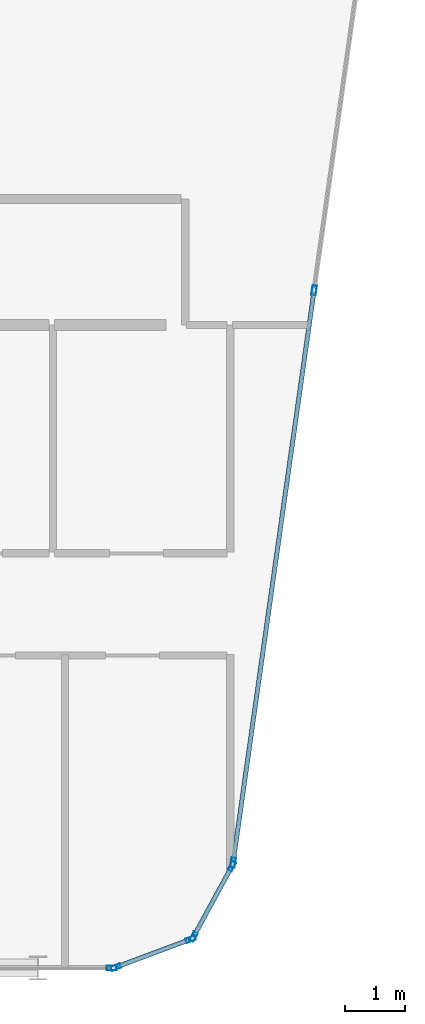
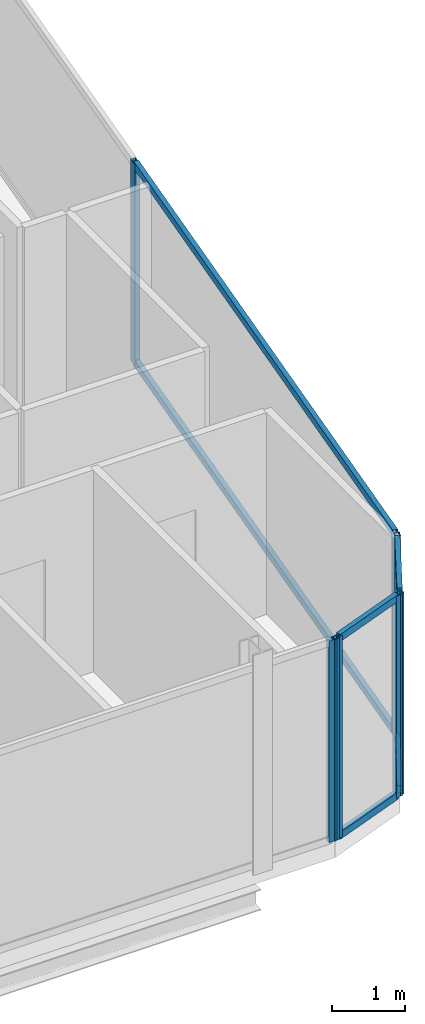
# One storey, part 12 of 27: 13 members, 4 elements without a shape of their own.
"""IFC4 building model written with IfcOpenShell, lengths in metres."""

import ifcopenshell
import ifcopenshell.guid

model = None  # the IFC model being written
_history = None  # IfcOwnerHistory: only IFC2X3 demands one
_inside = {}  # id of a spatial element -> (the spatial element, [elements in it])
_under = {}  # id of a project, library or spatial element -> (it, [spatial elements below it])
_declared = {}  # id of a project -> (the project, [libraries it declares])
_typed = {}  # id of a type object -> (the type object, [elements of that type])
_made_of = {}  # id of a material, layer set ... -> (it, [elements and type objects made of it])


def new_model(schema):
    """Start an empty IFC model of exactly this schema.

    Asked for "IFC4X3", IfcOpenShell would pick the latest addendum, in which some entities
    have other attributes; the version numbers below select the first issue.
    IFC2X3 requires an IfcOwnerHistory on every rooted entity: one is made here for all.
    """
    global model, _history
    if schema == "IFC4X3":
        model = ifcopenshell.file(schema_version=(4, 3, 0, 0))
    else:
        model = ifcopenshell.file(schema=schema)
    _inside.clear()
    _under.clear()
    _declared.clear()
    _typed.clear()
    _made_of.clear()
    _history = None
    if model.schema == "IFC2X3":
        org = make("IfcOrganization", Name="unknown")
        user = make(
            "IfcPersonAndOrganization",
            ThePerson=make("IfcPerson", FamilyName="unknown"),
            TheOrganization=org,
        )
        app = make(
            "IfcApplication",
            ApplicationDeveloper=org,
            Version="unknown",
            ApplicationFullName="unknown",
            ApplicationIdentifier="unknown",
        )
        _history = make(
            "IfcOwnerHistory",
            OwningUser=user,
            OwningApplication=app,
            ChangeAction="ADDED",
            CreationDate=0,
        )
    return model


def make(cls, **values):
    """One entity of the class cls with the attributes given. An attribute that is None is left unset."""
    return model.create_entity(
        cls, **{name: value for name, value in values.items() if value is not None}
    )


def rooted(cls, **values):
    """An entity with a GlobalId (a new one), such as an element, a storey or a relation."""
    return make(cls, GlobalId=ifcopenshell.guid.new(), OwnerHistory=_history, **values)


def si_unit(unit_type, name, prefix=None):
    """IfcSIUnit, for example si_unit("LENGTHUNIT", "METRE", prefix="MILLI")."""
    return make("IfcSIUnit", UnitType=unit_type, Prefix=prefix, Name=name)


def assignment(units):
    """IfcUnitAssignment: the units of a project."""
    return None if units is None else make("IfcUnitAssignment", Units=units)


def point(xyz):
    """IfcCartesianPoint."""
    return None if xyz is None else make("IfcCartesianPoint", Coordinates=xyz)


def direction(xyz):
    """IfcDirection."""
    return None if xyz is None else make("IfcDirection", DirectionRatios=xyz)


def frame(location, z_axis=None, x_axis=None):
    """IfcAxis2Placement3D, a coordinate frame: its origin and axes. An axis left out is left unset."""
    return make(
        "IfcAxis2Placement3D",
        Location=point(location),
        Axis=direction(z_axis),
        RefDirection=direction(x_axis),
    )


def frame_2d(location, x_axis=None):
    """IfcAxis2Placement2D, a coordinate frame in the plane: its origin and x axis."""
    return make(
        "IfcAxis2Placement2D", Location=point(location), RefDirection=direction(x_axis)
    )


def origin():
    """The frame at (0, 0, 0) with its axes left unset."""
    return frame((0.0, 0.0, 0.0))


def origin_2d():
    """The frame at (0, 0) in the plane with its x axis left unset."""
    return frame_2d((0.0, 0.0))


def place(relative_to, where):
    """IfcLocalPlacement: puts the frame where relative to a parent placement (None: the world)."""
    return make(
        "IfcLocalPlacement", PlacementRelTo=relative_to, RelativePlacement=where
    )


def context(
    kind, dimensions, precision=None, world=None, true_north=None, identifier=None
):
    """IfcGeometricRepresentationContext, for example the 3D "Model" context."""
    return make(
        "IfcGeometricRepresentationContext",
        ContextIdentifier=identifier,
        ContextType=kind,
        CoordinateSpaceDimension=dimensions,
        Precision=precision,
        WorldCoordinateSystem=world,
        TrueNorth=true_north,
    )


def subcontext(parent, identifier, kind, view, scale=None):
    """IfcGeometricRepresentationSubContext, for example "Body" below "Model"."""
    return make(
        "IfcGeometricRepresentationSubContext",
        ContextIdentifier=identifier,
        ContextType=kind,
        ParentContext=parent,
        TargetScale=scale,
        TargetView=view,
    )


def project(units=None, contexts=None):
    """IfcProject with its units and contexts."""
    return rooted(
        "IfcProject",
        Name="project",
        RepresentationContexts=contexts,
        UnitsInContext=assignment(units),
    )


def spatial(cls, under=None, at=None, **own):
    """A site, building, storey or space (cls), placed at a placement, below another one or the project."""
    s = rooted(cls, ObjectPlacement=at, **own)
    if under is not None:
        _under.setdefault(under.id(), (under, []))[1].append(s)
    return s


def profile(cls, at=None, kind="AREA", **sizes):
    """A parametric profile (cls). Its sizes go by their IFC names, for example OverallWidth=200.0."""
    return make(cls, ProfileType=kind, Position=at, **sizes)


def hollow_rectangle(**sizes):
    """IfcRectangleHollowProfileDef."""
    return profile("IfcRectangleHollowProfileDef", **sizes)


def extrude(swept, where, along, depth):
    """IfcExtrudedAreaSolid: the profile swept, set in the frame where, extruded along a direction by depth."""
    return make(
        "IfcExtrudedAreaSolid",
        SweptArea=swept,
        Position=where,
        ExtrudedDirection=direction(along),
        Depth=depth,
    )


def shape(context_of_items, identifier, shape_type, items):
    """IfcShapeRepresentation: the items that make up one representation, for example the "Body"."""
    return make(
        "IfcShapeRepresentation",
        ContextOfItems=context_of_items,
        RepresentationIdentifier=identifier,
        RepresentationType=shape_type,
        Items=items,
    )


def material(Name=None, Category=None):
    """IfcMaterial."""
    return make("IfcMaterial", Name=Name, Category=Category)


def layer(
    of_material, thickness, ventilated=None, Name=None, Category=None, Priority=None
):
    """IfcMaterialLayer: one layer of a wall or slab, of a material (None: an air gap)."""
    return make(
        "IfcMaterialLayer",
        Material=of_material,
        LayerThickness=thickness,
        IsVentilated=ventilated,
        Name=Name,
        Category=Category,
        Priority=Priority,
    )


def layer_set(layers, Name=None):
    """IfcMaterialLayerSet."""
    return make("IfcMaterialLayerSet", MaterialLayers=layers, LayerSetName=Name)


def material_profile(
    of_material, cross_section, Name=None, Category=None, Priority=None
):
    """IfcMaterialProfile: a cross section and its material."""
    return make(
        "IfcMaterialProfile",
        Name=Name,
        Material=of_material,
        Profile=cross_section,
        Priority=Priority,
        Category=Category,
    )


def profile_set(profiles, Name=None, composite=None):
    """IfcMaterialProfileSet."""
    return make(
        "IfcMaterialProfileSet",
        Name=Name,
        MaterialProfiles=profiles,
        CompositeProfile=composite,
    )


def made_of(thing, what):
    """Note that an element or type object is made of a material, layer set ...; save() writes the relation."""
    if what is not None:
        _made_of.setdefault(what.id(), (what, []))[1].append(thing)
    return thing


def type_object(cls, material=None, **own):
    """A type object (cls), such as IfcWallType, which elements share."""
    return made_of(rooted(cls, **own), material)


def element(
    cls,
    number,
    at=None,
    inside=None,
    cuts=None,
    type_object=None,
    material=None,
    context=None,
    identifier="Body",
    shape_type=None,
    held_by="IfcProductDefinitionShape",
    body=None,
    shapes=None,
    **own,
):
    """One element of the class cls, such as IfcWall. Its Tag is "e" and its number.

    at: its placement. inside: the storey or other place that contains it. cuts: it is an
    opening in that element (IfcRelVoidsElement). A single representation is given by context,
    identifier, shape_type and body (its items); several are given by shapes. held_by: the class
    of the entity that holds the representations. save() writes the other relations.
    """
    e = rooted(cls, Tag="e%d" % number, ObjectPlacement=at, **own)
    if body is not None:
        shapes = [shape(context, identifier, shape_type, body)]
    if shapes is not None:
        e.Representation = make(held_by, Representations=shapes)
    if inside is not None:
        _inside.setdefault(inside.id(), (inside, []))[1].append(e)
    if cuts is not None:
        rooted(
            "IfcRelVoidsElement", RelatingBuildingElement=cuts, RelatedOpeningElement=e
        )
    if type_object is not None:
        _typed.setdefault(type_object.id(), (type_object, []))[1].append(e)
    return made_of(e, material)


def aggregate(whole, parts):
    """IfcRelAggregates: a whole, such as a stair, and the parts it consists of."""
    return rooted("IfcRelAggregates", RelatingObject=whole, RelatedObjects=parts)


def save(model, path):
    """Write the relations noted so far, then the file.

    IfcRelAggregates (storeys below a building ...), IfcRelContainedInSpatialStructure (elements
    in a storey), IfcRelDefinesByType, IfcRelAssociatesMaterial and IfcRelDeclares: one each for
    every whole, place, type object, material and project.
    """
    for whole, parts in _under.values():
        aggregate(whole, parts)
    for where, things in _inside.values():
        rooted(
            "IfcRelContainedInSpatialStructure",
            RelatedElements=things,
            RelatingStructure=where,
        )
    for kind, things in _typed.values():
        rooted("IfcRelDefinesByType", RelatedObjects=things, RelatingType=kind)
    for what, things in _made_of.values():
        rooted("IfcRelAssociatesMaterial", RelatedObjects=things, RelatingMaterial=what)
    for by, libraries in _declared.values():
        rooted("IfcRelDeclares", RelatingContext=by, RelatedDefinitions=libraries)
    model.write(path)


model = new_model("IFC4")

# Units and contexts
model_context = context("Model", 3, precision=1e-05, world=origin(), true_north=direction((0.0, 1.0)))
body_context = subcontext(model_context, "Body", "Model", "MODEL_VIEW")
ifc_project = project(units=[si_unit("LENGTHUNIT", "METRE"), si_unit("AREAUNIT", "SQUARE_METRE"), si_unit("VOLUMEUNIT", "CUBIC_METRE"), si_unit("PLANEANGLEUNIT", "RADIAN"), si_unit("MASSUNIT", "GRAM", prefix="KILO")], contexts=[model_context])

# Site, building, storey
site_placement = place(None, origin())
site = spatial("IfcSite", under=ifc_project, at=site_placement, CompositionType="ELEMENT")
building_placement = place(site_placement, origin())
building = spatial("IfcBuilding", under=site, at=building_placement, Name="Keshet Zoharim Tower", CompositionType="ELEMENT")
storey_placement = place(building_placement, frame((0.0, 0.0, 247.300048828125)))
storey = spatial("IfcBuildingStorey", under=building, at=storey_placement, Name="L61", CompositionType="ELEMENT", Elevation=247.300048828125)

# Curtain wall, members
ifc_material = material(Name="Aluminium 6063-T6", Category="aluminium")
ifc_layer = layer(ifc_material, 0.260009765625)
ifc_layer_set = layer_set([ifc_layer], Name="Aluminium 6063-T6")
curtain_wall_type = type_object("IfcCurtainWallType", Name="CW-SYS-06", PredefinedType="NOTDEFINED", material=ifc_layer_set)
curtain_wall_1_placement = place(storey_placement, origin())
curtain_wall_1 = element("IfcCurtainWall", 1, at=curtain_wall_1_placement, inside=storey, type_object=curtain_wall_type, Name="L61 Unitised Curtain Wall 11", PredefinedType="NOTDEFINED")
ifc_material_profile_1 = material_profile(ifc_material, hollow_rectangle(XDim=0.074951171875, YDim=0.159912109375, WallThickness=0.00390625, at=origin_2d()), Name="MUL-75x160")
ifc_profile_set_1 = profile_set([ifc_material_profile_1], Name="Aluminium 6063-T6")
member_type_1 = type_object("IfcMemberType", Name="CWM-M15", PredefinedType="MULLION", material=ifc_profile_set_1)
member_1_placement = place(storey_placement, frame((43.595458984375, 17.97607421875, 0.0), z_axis=(0.0, 0.0, 1.0), x_axis=(0.990132057422, -0.140137464177, 0.0)))
member_1 = element("IfcMember", 2, at=member_1_placement, type_object=member_type_1, Name="CW-06 mullion 2", PredefinedType="MULLION", context=body_context, shape_type="SweptSolid", body=[
    extrude(hollow_rectangle(XDim=0.074951171875, YDim=0.159912109375, WallThickness=0.00390625, at=origin_2d()), origin(), (0.0, 0.0, 1.0), 3.389892578125),
])
member_2_placement = place(storey_placement, frame((42.247802734375, 8.45458984375, 0.0), z_axis=(0.0, 0.0, 1.0), x_axis=(0.990132057422, -0.140137464177, 0.0)))
member_2 = element("IfcMember", 3, at=member_2_placement, type_object=member_type_1, Name="CW-06 mullion 3", PredefinedType="MULLION", context=body_context, shape_type="SweptSolid", body=[
    extrude(hollow_rectangle(XDim=0.074951171875, YDim=0.159912109375, WallThickness=0.00390625, at=origin_2d()), origin(), (0.0, 0.0, 1.0), 3.389892578125),
])

curtain_wall_2_placement = place(storey_placement, origin())
curtain_wall_2 = element("IfcCurtainWall", 4, at=curtain_wall_2_placement, inside=storey, type_object=curtain_wall_type, Name="L61 Unitised Curtain Wall 12", PredefinedType="NOTDEFINED")
member_3_placement = place(storey_placement, frame((42.226318359375, 8.38916015625, 0.0), z_axis=(0.0, 0.0, 1.0), x_axis=(0.878468125004, -0.477800955789, 0.0)))
member_3 = element("IfcMember", 5, at=member_3_placement, type_object=member_type_1, Name="CW-06 mullion 1", PredefinedType="MULLION", context=body_context, shape_type="SweptSolid", body=[
    extrude(hollow_rectangle(XDim=0.074951171875, YDim=0.159912109375, WallThickness=0.00390625, at=origin_2d()), origin(), (0.0, 0.0, 1.0), 3.389892578125),
])
member_4_placement = place(storey_placement, frame((41.5908203125, 7.220703125, 0.0), z_axis=(0.0, 0.0, 1.0), x_axis=(0.878468125004, -0.477800955789, 0.0)))
member_4 = element("IfcMember", 6, at=member_4_placement, type_object=member_type_1, Name="CW-06 mullion 2", PredefinedType="MULLION", context=body_context, shape_type="SweptSolid", body=[
    extrude(hollow_rectangle(XDim=0.074951171875, YDim=0.159912109375, WallThickness=0.00390625, at=origin_2d()), origin(), (0.0, 0.0, 1.0), 3.389892578125),
])

curtain_wall_3_placement = place(storey_placement, origin())
curtain_wall_3 = element("IfcCurtainWall", 7, at=curtain_wall_3_placement, inside=storey, type_object=curtain_wall_type, Name="L61 Unitised Curtain Wall 13", PredefinedType="NOTDEFINED")
member_5_placement = place(storey_placement, frame((41.541259765625, 7.177734375, 0.0), z_axis=(0.0, 0.0, 1.0), x_axis=(0.350105315376, -0.936710343781, 0.0)))
member_5 = element("IfcMember", 8, at=member_5_placement, type_object=member_type_1, Name="CW-06 mullion 1", PredefinedType="MULLION", context=body_context, shape_type="SweptSolid", body=[
    extrude(hollow_rectangle(XDim=0.074951171875, YDim=0.159912109375, WallThickness=0.00390625, at=origin_2d()), origin(), (0.0, 0.0, 1.0), 3.389892578125),
])
member_6_placement = place(storey_placement, frame((40.2958984375, 6.712158203125, 0.0), z_axis=(0.0, 0.0, 1.0), x_axis=(0.350105315376, -0.936710343781, 0.0)))
member_6 = element("IfcMember", 9, at=member_6_placement, type_object=member_type_1, Name="CW-06 mullion 2", PredefinedType="MULLION", context=body_context, shape_type="SweptSolid", body=[
    extrude(hollow_rectangle(XDim=0.074951171875, YDim=0.159912109375, WallThickness=0.00390625, at=origin_2d()), origin(), (0.0, 0.0, 1.0), 3.389892578125),
])

# Curtain wall, member
curtain_wall_4_placement = place(storey_placement, origin())
curtain_wall_4 = element("IfcCurtainWall", 10, at=curtain_wall_4_placement, inside=storey, type_object=curtain_wall_type, Name="L61 Unitised Curtain Wall 14", PredefinedType="NOTDEFINED")
member_7_placement = place(storey_placement, frame((40.22802734375, 6.699951171875, 0.0), z_axis=(0.0, 0.0, 1.0), x_axis=(0.0, -1.0, 0.0)))
member_7 = element("IfcMember", 11, at=member_7_placement, type_object=member_type_1, Name="CW-06 mullion 1", PredefinedType="MULLION", context=body_context, shape_type="SweptSolid", body=[
    extrude(hollow_rectangle(XDim=0.074951171875, YDim=0.159912109375, WallThickness=0.00390625, at=origin_2d()), origin(), (0.0, 0.0, 1.0), 3.389892578125),
])
aggregate(curtain_wall_4, [member_7])

# Member
ifc_material_profile_2 = material_profile(ifc_material, hollow_rectangle(XDim=0.074951171875, YDim=0.1201171875, WallThickness=0.00390625, at=origin_2d()), Name="TRN-75x120")
ifc_profile_set_2 = profile_set([ifc_material_profile_2], Name="Aluminium 6063-T6")
member_type_2 = type_object("IfcMemberType", Name="CWT-T12", PredefinedType="USERDEFINED", material=ifc_profile_set_2)
member_8_placement = place(storey_placement, frame((43.590576171875, 17.94140625, 0.034912109375), z_axis=(-0.14012154881, -0.990134309859, 0.0), x_axis=(0.990134309859, -0.14012154881, 0.0)))
member_8 = element("IfcMember", 12, at=member_8_placement, type_object=member_type_2, Name="CW-06 transom 2.1", ObjectType="TRANSOM", PredefinedType="USERDEFINED", context=body_context, shape_type="SweptSolid", body=[
    extrude(hollow_rectangle(XDim=0.074951171875, YDim=0.1201171875, WallThickness=0.00390625, at=origin_2d()), origin(), (0.0, 0.0, 1.0), 9.54638671875),
])

member_9_placement = place(storey_placement, frame((43.590576171875, 17.94140625, 3.35498046875), z_axis=(-0.14012154881, -0.990134309859, 0.0), x_axis=(0.990134309859, -0.14012154881, 0.0)))
member_9 = element("IfcMember", 13, at=member_9_placement, type_object=member_type_2, Name="CW-06 transom 2.2", ObjectType="TRANSOM", PredefinedType="USERDEFINED", context=body_context, shape_type="SweptSolid", body=[
    extrude(hollow_rectangle(XDim=0.074951171875, YDim=0.1201171875, WallThickness=0.00390625, at=origin_2d()), origin(), (0.0, 0.0, 1.0), 9.54638671875),
])

aggregate(curtain_wall_1, [member_1, member_2, member_8, member_9])

member_10_placement = place(storey_placement, frame((42.20947265625, 8.3583984375, 0.034912109375), z_axis=(-0.47779293276, -0.878472488701, 0.0), x_axis=(0.878472488701, -0.47779293276, 0.0)))
member_10 = element("IfcMember", 14, at=member_10_placement, type_object=member_type_2, Name="CW-06 transom 1.1", ObjectType="TRANSOM", PredefinedType="USERDEFINED", context=body_context, shape_type="SweptSolid", body=[
    extrude(hollow_rectangle(XDim=0.074951171875, YDim=0.1201171875, WallThickness=0.00390625, at=origin_2d()), origin(), (0.0, 0.0, 1.0), 1.260009765625),
])

member_11_placement = place(storey_placement, frame((42.20947265625, 8.3583984375, 3.35498046875), z_axis=(-0.47779293276, -0.878472488701, 0.0), x_axis=(0.878472488701, -0.47779293276, 0.0)))
member_11 = element("IfcMember", 15, at=member_11_placement, type_object=member_type_2, Name="CW-06 transom 1.2", ObjectType="TRANSOM", PredefinedType="USERDEFINED", context=body_context, shape_type="SweptSolid", body=[
    extrude(hollow_rectangle(XDim=0.074951171875, YDim=0.1201171875, WallThickness=0.00390625, at=origin_2d()), origin(), (0.0, 0.0, 1.0), 1.260009765625),
])

aggregate(curtain_wall_2, [member_3, member_4, member_10, member_11])

member_12_placement = place(storey_placement, frame((41.508544921875, 7.16552734375, 0.034912109375), z_axis=(-0.93673477759, -0.350039935512, 0.0), x_axis=(0.350039935512, -0.93673477759, 0.0)))
member_12 = element("IfcMember", 16, at=member_12_placement, type_object=member_type_2, Name="CW-06 transom 1.1", ObjectType="TRANSOM", PredefinedType="USERDEFINED", context=body_context, shape_type="SweptSolid", body=[
    extrude(hollow_rectangle(XDim=0.074951171875, YDim=0.1201171875, WallThickness=0.00390625, at=origin_2d()), origin(), (0.0, 0.0, 1.0), 1.259521484375),
])

member_13_placement = place(storey_placement, frame((41.508544921875, 7.16552734375, 3.35498046875), z_axis=(-0.93673477759, -0.350039935512, 0.0), x_axis=(0.350039935512, -0.93673477759, 0.0)))
member_13 = element("IfcMember", 17, at=member_13_placement, type_object=member_type_2, Name="CW-06 transom 1.2", ObjectType="TRANSOM", PredefinedType="USERDEFINED", context=body_context, shape_type="SweptSolid", body=[
    extrude(hollow_rectangle(XDim=0.074951171875, YDim=0.1201171875, WallThickness=0.00390625, at=origin_2d()), origin(), (0.0, 0.0, 1.0), 1.259521484375),
])

aggregate(curtain_wall_3, [member_5, member_6, member_12, member_13])

save(model, "model.ifc")
